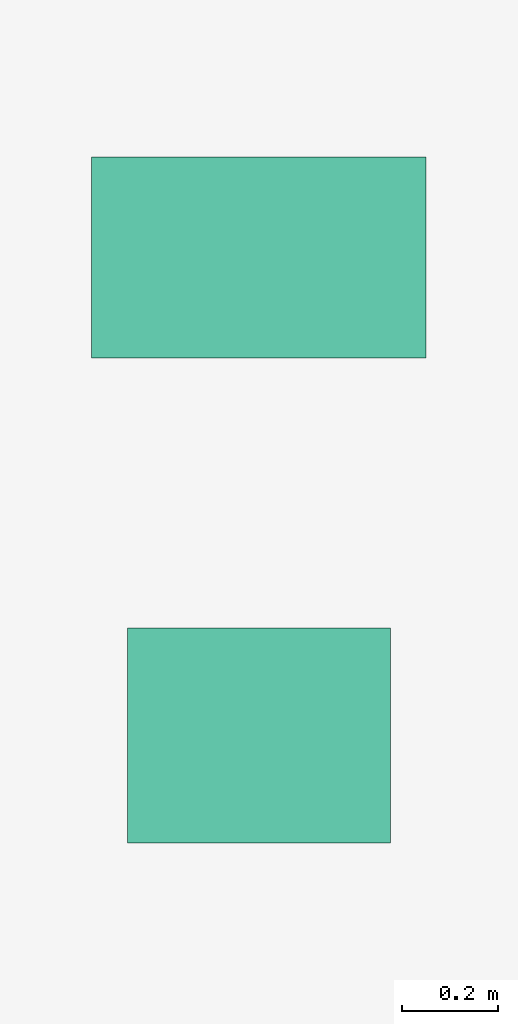
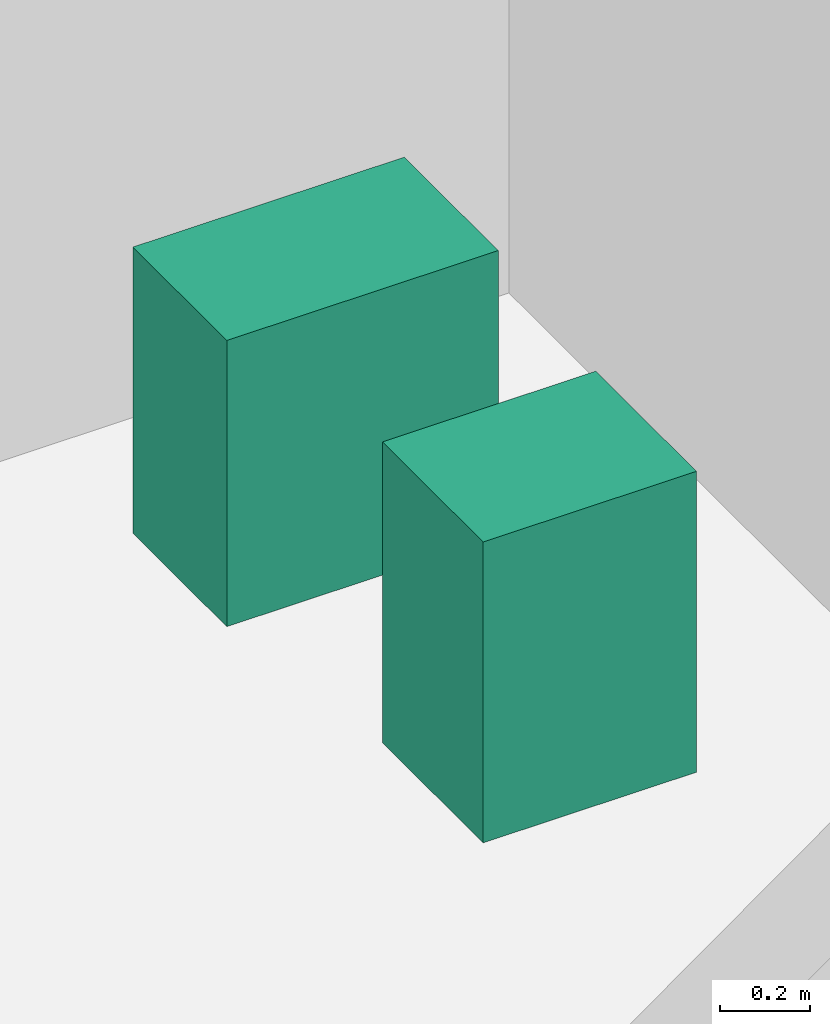
# One storey, part 33 of 33: 2 sanitary terminals.
"""IFC4 building model written with IfcOpenShell, lengths in metres."""

from ifc_helpers import new_model, si_unit, direction, frame, origin, origin_2d, place, context, subcontext, project, spatial, rectangle, extrude, source, transform, mapped, material, type_object, element, save


model = new_model("IFC4")

# Units and contexts
model_context = context("Model", 3, precision=1e-05, world=origin(), true_north=direction((0.0, 1.0)))
body_context = subcontext(model_context, "Body", "Model", "MODEL_VIEW")
ifc_project = project(units=[si_unit("LENGTHUNIT", "METRE"), si_unit("AREAUNIT", "SQUARE_METRE"), si_unit("VOLUMEUNIT", "CUBIC_METRE"), si_unit("PLANEANGLEUNIT", "RADIAN"), si_unit("MASSUNIT", "GRAM", prefix="KILO")], contexts=[model_context])

# Site, building, storey
site_placement = place(None, origin())
site = spatial("IfcSite", under=ifc_project, at=site_placement, CompositionType="ELEMENT")
building_placement = place(site_placement, origin())
building = spatial("IfcBuilding", under=site, at=building_placement, Name="Sumidabori Civic Tower", CompositionType="ELEMENT")
storey_placement = place(building_placement, frame((0.0, 0.0, 63.199951171875)))
storey = spatial("IfcBuildingStorey", under=building, at=storey_placement, Name="L16", CompositionType="ELEMENT", Elevation=63.199951171875)

# Sanitary terminals
ifc_material = material(Name="Vitreous Sanitary Porcelain")
sanitary_terminal_type_1 = type_object("IfcSanitaryTerminalType", Name="SN-WC-1", PredefinedType="TOILETPAN", material=ifc_material)
shared_shape_1 = source(origin(), body_context, "Body", "SweptSolid", [
    extrude(rectangle(XDim=0.699951171875, YDim=0.419921875, at=origin_2d()), origin(), (0.0, 0.0, 1.0), 0.780029296875),
])
sanitary_terminal_1_placement = place(storey_placement, frame((10.800048828125, 21.85009765625, 0.0), z_axis=(0.0, 0.0, 1.0), x_axis=(1.0, 0.0, 0.0)))
element("IfcSanitaryTerminal", 1, at=sanitary_terminal_1_placement, inside=storey, type_object=sanitary_terminal_type_1, Name="Accessible WC Pan L16", PredefinedType="TOILETPAN", context=body_context, shape_type="MappedRepresentation", body=[
    mapped(shared_shape_1, transform((0.0, 0.0, 0.0), x_axis=(1.0, 0.0, 0.0), y_axis=(0.0, 1.0, 0.0), z_axis=(0.0, 0.0, 1.0), scale=1.0)),
])
sanitary_terminal_type_2 = type_object("IfcSanitaryTerminalType", Name="SN-BAS-1", PredefinedType="WASHHANDBASIN", material=ifc_material)
shared_shape_2 = source(origin(), body_context, "Body", "SweptSolid", [
    extrude(rectangle(XDim=0.550048828125, YDim=0.449951171875, at=origin_2d()), origin(), (0.0, 0.0, 1.0), 0.820068359375),
])
sanitary_terminal_2_placement = place(storey_placement, frame((10.800048828125, 20.85009765625, 0.0), z_axis=(0.0, 0.0, 1.0), x_axis=(1.0, 0.0, 0.0)))
element("IfcSanitaryTerminal", 2, at=sanitary_terminal_2_placement, inside=storey, type_object=sanitary_terminal_type_2, Name="Accessible Basin L16", PredefinedType="WASHHANDBASIN", context=body_context, shape_type="MappedRepresentation", body=[
    mapped(shared_shape_2, transform((0.0, 0.0, 0.0), x_axis=(1.0, 0.0, 0.0), y_axis=(0.0, 1.0, 0.0), z_axis=(0.0, 0.0, 1.0), scale=1.0)),
])

save(model, "model.ifc")
